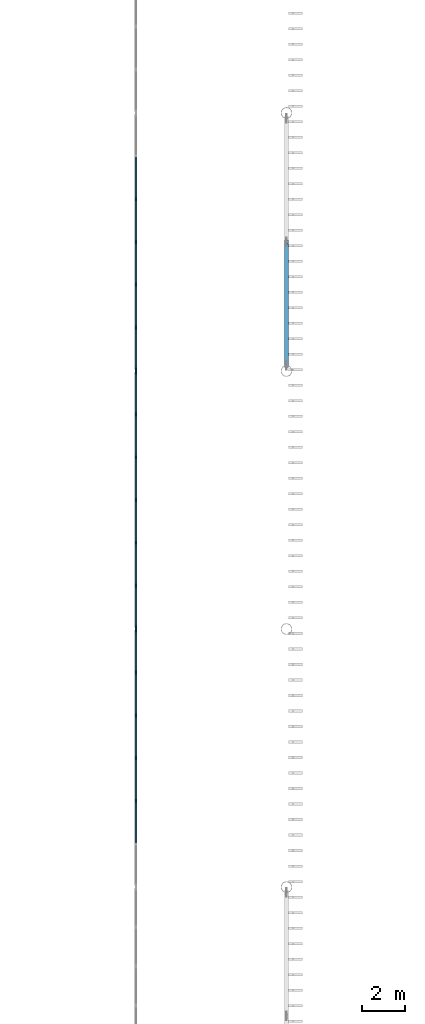
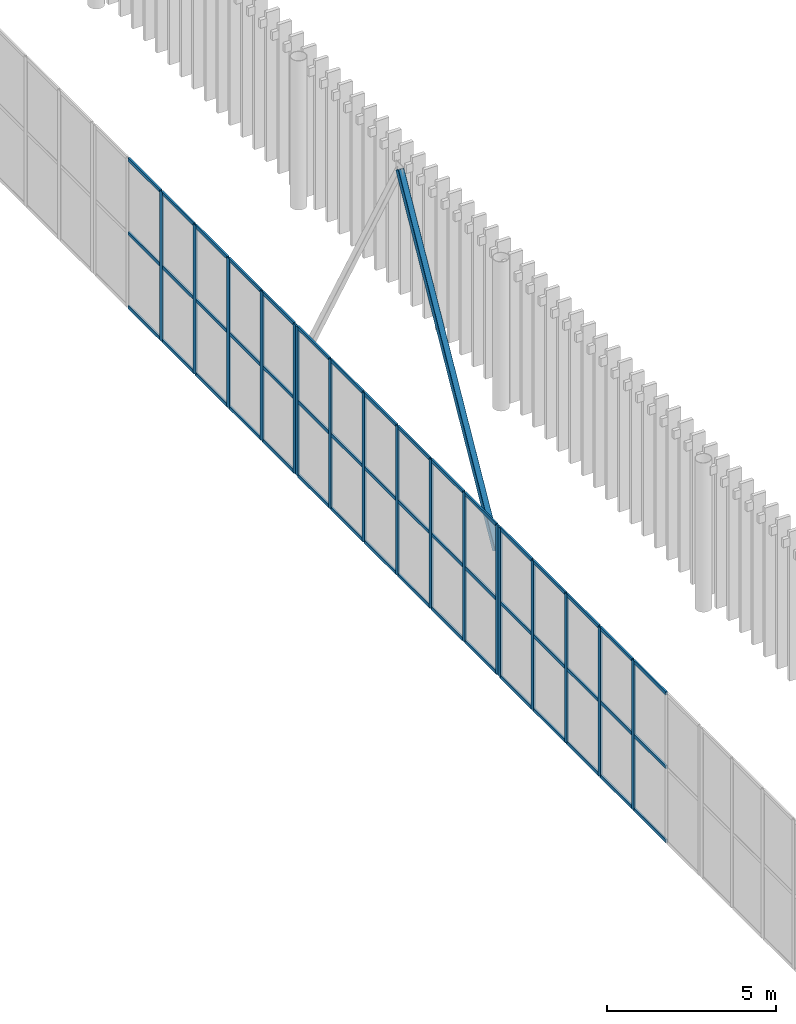
# One storey, part 41 of 170: 66 members, 3 elements without a shape of their own.
"""IFC4 building model written with IfcOpenShell, lengths in metres."""

from ifc_helpers import new_model, si_unit, direction, frame, origin, origin_2d, place, context, subcontext, project, spatial, rectangle, hollow_rectangle, extrude, material, layer, layer_set, material_profile, profile_set, type_object, element, aggregate, save


model = new_model("IFC4")

# Units and contexts
model_context = context("Model", 3, precision=1e-05, world=origin(), true_north=direction((0.0, 1.0)))
body_context = subcontext(model_context, "Body", "Model", "MODEL_VIEW")
ifc_project = project(units=[si_unit("LENGTHUNIT", "METRE"), si_unit("AREAUNIT", "SQUARE_METRE"), si_unit("VOLUMEUNIT", "CUBIC_METRE"), si_unit("PLANEANGLEUNIT", "RADIAN"), si_unit("MASSUNIT", "GRAM", prefix="KILO")], contexts=[model_context])

# Site, building, storey
site_placement = place(None, origin())
site = spatial("IfcSite", under=ifc_project, at=site_placement, CompositionType="ELEMENT")
building_placement = place(site_placement, origin())
building = spatial("IfcBuilding", under=site, at=building_placement, Name="Ravi Spectrum Wholesale Market", CompositionType="ELEMENT")
storey_placement = place(building_placement, frame((0.0, 0.0, 5.39990234375)))
storey = spatial("IfcBuildingStorey", under=building, at=storey_placement, Name="L01", CompositionType="ELEMENT", Elevation=5.39990234375)

# Curtain wall, members
ifc_material_1 = material(Name="Aluminium 6063-T6", Category="aluminium")
ifc_layer = layer(ifc_material_1, 0.14990234375)
ifc_layer_set = layer_set([ifc_layer], Name="Aluminium 6063-T6")
curtain_wall_type = type_object("IfcCurtainWallType", Name="Curtain wall 150", PredefinedType="NOTDEFINED", material=ifc_layer_set)
curtain_wall_1_placement = place(storey_placement, origin())
curtain_wall_1 = element("IfcCurtainWall", 1, at=curtain_wall_1_placement, inside=storey, type_object=curtain_wall_type, Name="H1-CW-L01-016", PredefinedType="NOTDEFINED")
ifc_material_2 = material(Name="Aluminium 6063-T6", Category="aluminium")
ifc_material_profile_1 = material_profile(ifc_material_2, rectangle(XDim=0.06005859375, YDim=0.159912109375, at=origin_2d()))
ifc_profile_set_1 = profile_set([ifc_material_profile_1], Name="Aluminium 6063-T6")
member_type_1 = type_object("IfcMemberType", Name="Mullion 60 x 160", PredefinedType="MULLION", material=ifc_profile_set_1)
member_1_placement = place(storey_placement, frame((103.0, 46.013427734375, 0.0), z_axis=(0.0, 0.0, 1.0), x_axis=(-1.0, 0.0, 0.0)))
member_1 = element("IfcMember", 2, at=member_1_placement, type_object=member_type_1, Name="H1-CW-L01-016 mullion 3", PredefinedType="MULLION", context=body_context, shape_type="SweptSolid", body=[
    extrude(rectangle(XDim=0.06005859375, YDim=0.159912109375, at=origin_2d()), origin(), (0.0, 0.0, 1.0), 5.400146484375),
])
member_2_placement = place(storey_placement, frame((103.0, 48.0, 0.0), z_axis=(0.0, 0.0, 1.0), x_axis=(-1.0, 0.0, 0.0)))
member_2 = element("IfcMember", 3, at=member_2_placement, type_object=member_type_1, Name="H1-CW-L01-016 mullion 4", PredefinedType="MULLION", context=body_context, shape_type="SweptSolid", body=[
    extrude(rectangle(XDim=0.06005859375, YDim=0.159912109375, at=origin_2d()), origin(), (0.0, 0.0, 1.0), 5.400146484375),
])
member_3_placement = place(storey_placement, frame((103.0, 49.986572265625, 0.0), z_axis=(0.0, 0.0, 1.0), x_axis=(-1.0, 0.0, 0.0)))
member_3 = element("IfcMember", 4, at=member_3_placement, type_object=member_type_1, Name="H1-CW-L01-016 mullion 5", PredefinedType="MULLION", context=body_context, shape_type="SweptSolid", body=[
    extrude(rectangle(XDim=0.06005859375, YDim=0.159912109375, at=origin_2d()), origin(), (0.0, 0.0, 1.0), 5.400146484375),
])
member_4_placement = place(storey_placement, frame((103.0, 51.973388671875, 0.0), z_axis=(0.0, 0.0, 1.0), x_axis=(-1.0, 0.0, 0.0)))
member_4 = element("IfcMember", 5, at=member_4_placement, type_object=member_type_1, Name="H1-CW-L01-016 mullion 6", PredefinedType="MULLION", context=body_context, shape_type="SweptSolid", body=[
    extrude(rectangle(XDim=0.06005859375, YDim=0.159912109375, at=origin_2d()), origin(), (0.0, 0.0, 1.0), 5.400146484375),
])
member_5_placement = place(storey_placement, frame((103.0, 53.929931640625, 0.0), z_axis=(0.0, 0.0, 1.0), x_axis=(-1.0, 0.0, 0.0)))
member_5 = element("IfcMember", 6, at=member_5_placement, type_object=member_type_1, Name="H1-CW-L01-016 mullion 7", PredefinedType="MULLION", context=body_context, shape_type="SweptSolid", body=[
    extrude(rectangle(XDim=0.06005859375, YDim=0.159912109375, at=origin_2d()), origin(), (0.0, 0.0, 1.0), 5.400146484375),
])

curtain_wall_2_placement = place(storey_placement, origin())
curtain_wall_2 = element("IfcCurtainWall", 7, at=curtain_wall_2_placement, inside=storey, type_object=curtain_wall_type, Name="H1-CW-L01-017", PredefinedType="NOTDEFINED")
member_6_placement = place(storey_placement, frame((103.0, 54.070068359375, 0.0), z_axis=(0.0, 0.0, 1.0), x_axis=(-1.0, 0.0, 0.0)))
member_6 = element("IfcMember", 8, at=member_6_placement, type_object=member_type_1, Name="H1-CW-L01-017 mullion 1", PredefinedType="MULLION", context=body_context, shape_type="SweptSolid", body=[
    extrude(rectangle(XDim=0.06005859375, YDim=0.159912109375, at=origin_2d()), origin(), (0.0, 0.0, 1.0), 5.400146484375),
])
member_7_placement = place(storey_placement, frame((103.0, 56.026611328125, 0.0), z_axis=(0.0, 0.0, 1.0), x_axis=(-1.0, 0.0, 0.0)))
member_7 = element("IfcMember", 9, at=member_7_placement, type_object=member_type_1, Name="H1-CW-L01-017 mullion 2", PredefinedType="MULLION", context=body_context, shape_type="SweptSolid", body=[
    extrude(rectangle(XDim=0.06005859375, YDim=0.159912109375, at=origin_2d()), origin(), (0.0, 0.0, 1.0), 5.400146484375),
])
member_8_placement = place(storey_placement, frame((103.0, 58.013427734375, 0.0), z_axis=(0.0, 0.0, 1.0), x_axis=(-1.0, 0.0, 0.0)))
member_8 = element("IfcMember", 10, at=member_8_placement, type_object=member_type_1, Name="H1-CW-L01-017 mullion 3", PredefinedType="MULLION", context=body_context, shape_type="SweptSolid", body=[
    extrude(rectangle(XDim=0.06005859375, YDim=0.159912109375, at=origin_2d()), origin(), (0.0, 0.0, 1.0), 5.400146484375),
])
member_9_placement = place(storey_placement, frame((103.0, 60.0, 0.0), z_axis=(0.0, 0.0, 1.0), x_axis=(-1.0, 0.0, 0.0)))
member_9 = element("IfcMember", 11, at=member_9_placement, type_object=member_type_1, Name="H1-CW-L01-017 mullion 4", PredefinedType="MULLION", context=body_context, shape_type="SweptSolid", body=[
    extrude(rectangle(XDim=0.06005859375, YDim=0.159912109375, at=origin_2d()), origin(), (0.0, 0.0, 1.0), 5.400146484375),
])
member_10_placement = place(storey_placement, frame((103.0, 61.986572265625, 0.0), z_axis=(0.0, 0.0, 1.0), x_axis=(-1.0, 0.0, 0.0)))
member_10 = element("IfcMember", 12, at=member_10_placement, type_object=member_type_1, Name="H1-CW-L01-017 mullion 5", PredefinedType="MULLION", context=body_context, shape_type="SweptSolid", body=[
    extrude(rectangle(XDim=0.06005859375, YDim=0.159912109375, at=origin_2d()), origin(), (0.0, 0.0, 1.0), 5.400146484375),
])
member_11_placement = place(storey_placement, frame((103.0, 63.973388671875, 0.0), z_axis=(0.0, 0.0, 1.0), x_axis=(-1.0, 0.0, 0.0)))
member_11 = element("IfcMember", 13, at=member_11_placement, type_object=member_type_1, Name="H1-CW-L01-017 mullion 6", PredefinedType="MULLION", context=body_context, shape_type="SweptSolid", body=[
    extrude(rectangle(XDim=0.06005859375, YDim=0.159912109375, at=origin_2d()), origin(), (0.0, 0.0, 1.0), 5.400146484375),
])
member_12_placement = place(storey_placement, frame((103.0, 65.929931640625, 0.0), z_axis=(0.0, 0.0, 1.0), x_axis=(-1.0, 0.0, 0.0)))
member_12 = element("IfcMember", 14, at=member_12_placement, type_object=member_type_1, Name="H1-CW-L01-017 mullion 7", PredefinedType="MULLION", context=body_context, shape_type="SweptSolid", body=[
    extrude(rectangle(XDim=0.06005859375, YDim=0.159912109375, at=origin_2d()), origin(), (0.0, 0.0, 1.0), 5.400146484375),
])

curtain_wall_3_placement = place(storey_placement, origin())
curtain_wall_3 = element("IfcCurtainWall", 15, at=curtain_wall_3_placement, inside=storey, type_object=curtain_wall_type, Name="H1-CW-L01-018", PredefinedType="NOTDEFINED")
member_13_placement = place(storey_placement, frame((103.0, 66.070068359375, 0.0), z_axis=(0.0, 0.0, 1.0), x_axis=(-1.0, 0.0, 0.0)))
member_13 = element("IfcMember", 16, at=member_13_placement, type_object=member_type_1, Name="H1-CW-L01-018 mullion 1", PredefinedType="MULLION", context=body_context, shape_type="SweptSolid", body=[
    extrude(rectangle(XDim=0.06005859375, YDim=0.159912109375, at=origin_2d()), origin(), (0.0, 0.0, 1.0), 5.400146484375),
])
member_14_placement = place(storey_placement, frame((103.0, 68.026611328125, 0.0), z_axis=(0.0, 0.0, 1.0), x_axis=(-1.0, 0.0, 0.0)))
member_14 = element("IfcMember", 17, at=member_14_placement, type_object=member_type_1, Name="H1-CW-L01-018 mullion 2", PredefinedType="MULLION", context=body_context, shape_type="SweptSolid", body=[
    extrude(rectangle(XDim=0.06005859375, YDim=0.159912109375, at=origin_2d()), origin(), (0.0, 0.0, 1.0), 5.400146484375),
])
member_15_placement = place(storey_placement, frame((103.0, 70.013427734375, 0.0), z_axis=(0.0, 0.0, 1.0), x_axis=(-1.0, 0.0, 0.0)))
member_15 = element("IfcMember", 18, at=member_15_placement, type_object=member_type_1, Name="H1-CW-L01-018 mullion 3", PredefinedType="MULLION", context=body_context, shape_type="SweptSolid", body=[
    extrude(rectangle(XDim=0.06005859375, YDim=0.159912109375, at=origin_2d()), origin(), (0.0, 0.0, 1.0), 5.400146484375),
])
member_16_placement = place(storey_placement, frame((103.0, 72.0, 0.0), z_axis=(0.0, 0.0, 1.0), x_axis=(-1.0, 0.0, 0.0)))
member_16 = element("IfcMember", 19, at=member_16_placement, type_object=member_type_1, Name="H1-CW-L01-018 mullion 4", PredefinedType="MULLION", context=body_context, shape_type="SweptSolid", body=[
    extrude(rectangle(XDim=0.06005859375, YDim=0.159912109375, at=origin_2d()), origin(), (0.0, 0.0, 1.0), 5.400146484375),
])
member_17_placement = place(storey_placement, frame((103.0, 73.986572265625, 0.0), z_axis=(0.0, 0.0, 1.0), x_axis=(-1.0, 0.0, 0.0)))
member_17 = element("IfcMember", 20, at=member_17_placement, type_object=member_type_1, Name="H1-CW-L01-018 mullion 5", PredefinedType="MULLION", context=body_context, shape_type="SweptSolid", body=[
    extrude(rectangle(XDim=0.06005859375, YDim=0.159912109375, at=origin_2d()), origin(), (0.0, 0.0, 1.0), 5.400146484375),
])

# Member
ifc_material_3 = material(Name="Steel S355", Category="steel")
ifc_material_profile_2 = material_profile(ifc_material_3, hollow_rectangle(XDim=0.199951171875, YDim=0.199951171875, WallThickness=0.008056640625, InnerFilletRadius=0.008056640625, OuterFilletRadius=0.01611328125, at=origin_2d()))
ifc_profile_set_2 = profile_set([ifc_material_profile_2], Name="Steel S355")
member_type_2 = type_object("IfcMemberType", Name="SHS 200x200x8 brace", PredefinedType="BRACE", material=ifc_profile_set_2)
member_18_placement = place(storey_placement, frame((110.0, 66.25390625, -5.350830078125), z_axis=(0.0, 0.487151805571, 0.873317306784), x_axis=(-1.0, 0.0, 0.0)))
element("IfcMember", 21, at=member_18_placement, inside=storey, type_object=member_type_2, Name="H1-MB-L01-015", PredefinedType="BRACE", context=body_context, shape_type="SweptSolid", body=[
    extrude(hollow_rectangle(XDim=0.199951171875, YDim=0.199951171875, WallThickness=0.008056640625, InnerFilletRadius=0.008056640625, OuterFilletRadius=0.01611328125, at=origin_2d()), origin(), (0.0, 0.0, 1.0), 11.795166015625),
])

ifc_material_4 = material(Name="Aluminium 6063-T6", Category="aluminium")
ifc_material_profile_3 = material_profile(ifc_material_4, rectangle(XDim=0.06005859375, YDim=0.1201171875, at=origin_2d()))
ifc_profile_set_3 = profile_set([ifc_material_profile_3], Name="Aluminium 6063-T6")
member_type_3 = type_object("IfcMemberType", Name="Transom 60 x 120", PredefinedType="USERDEFINED", material=ifc_profile_set_3)
member_19_placement = place(storey_placement, frame((103.0, 44.056640625, 0.030029296875), z_axis=(0.0, 1.0, 0.0), x_axis=(-1.0, 0.0, 0.0)))
member_19 = element("IfcMember", 22, at=member_19_placement, type_object=member_type_3, Name="H1-CW-L01-016 transom 2.1", ObjectType="TRANSOM", PredefinedType="USERDEFINED", context=body_context, shape_type="SweptSolid", body=[
    extrude(rectangle(XDim=0.06005859375, YDim=0.1201171875, at=origin_2d()), origin(), (0.0, 0.0, 1.0), 1.9267578125),
])

member_20_placement = place(storey_placement, frame((103.0, 44.056640625, 2.7001953125), z_axis=(0.0, 1.0, 0.0), x_axis=(-1.0, 0.0, 0.0)))
member_20 = element("IfcMember", 23, at=member_20_placement, type_object=member_type_3, Name="H1-CW-L01-016 transom 2.2", ObjectType="TRANSOM", PredefinedType="USERDEFINED", context=body_context, shape_type="SweptSolid", body=[
    extrude(rectangle(XDim=0.06005859375, YDim=0.1201171875, at=origin_2d()), origin(), (0.0, 0.0, 1.0), 1.9267578125),
])

member_21_placement = place(storey_placement, frame((103.0, 44.056640625, 5.3701171875), z_axis=(0.0, 1.0, 0.0), x_axis=(-1.0, 0.0, 0.0)))
member_21 = element("IfcMember", 24, at=member_21_placement, type_object=member_type_3, Name="H1-CW-L01-016 transom 2.3", ObjectType="TRANSOM", PredefinedType="USERDEFINED", context=body_context, shape_type="SweptSolid", body=[
    extrude(rectangle(XDim=0.06005859375, YDim=0.1201171875, at=origin_2d()), origin(), (0.0, 0.0, 1.0), 1.9267578125),
])

member_22_placement = place(storey_placement, frame((103.0, 46.043212890625, 0.030029296875), z_axis=(0.0, 1.0, 0.0), x_axis=(-1.0, 0.0, 0.0)))
member_22 = element("IfcMember", 25, at=member_22_placement, type_object=member_type_3, Name="H1-CW-L01-016 transom 3.1", ObjectType="TRANSOM", PredefinedType="USERDEFINED", context=body_context, shape_type="SweptSolid", body=[
    extrude(rectangle(XDim=0.06005859375, YDim=0.1201171875, at=origin_2d()), origin(), (0.0, 0.0, 1.0), 1.9267578125),
])

member_23_placement = place(storey_placement, frame((103.0, 46.043212890625, 2.7001953125), z_axis=(0.0, 1.0, 0.0), x_axis=(-1.0, 0.0, 0.0)))
member_23 = element("IfcMember", 26, at=member_23_placement, type_object=member_type_3, Name="H1-CW-L01-016 transom 3.2", ObjectType="TRANSOM", PredefinedType="USERDEFINED", context=body_context, shape_type="SweptSolid", body=[
    extrude(rectangle(XDim=0.06005859375, YDim=0.1201171875, at=origin_2d()), origin(), (0.0, 0.0, 1.0), 1.9267578125),
])

member_24_placement = place(storey_placement, frame((103.0, 46.043212890625, 5.3701171875), z_axis=(0.0, 1.0, 0.0), x_axis=(-1.0, 0.0, 0.0)))
member_24 = element("IfcMember", 27, at=member_24_placement, type_object=member_type_3, Name="H1-CW-L01-016 transom 3.3", ObjectType="TRANSOM", PredefinedType="USERDEFINED", context=body_context, shape_type="SweptSolid", body=[
    extrude(rectangle(XDim=0.06005859375, YDim=0.1201171875, at=origin_2d()), origin(), (0.0, 0.0, 1.0), 1.9267578125),
])

member_25_placement = place(storey_placement, frame((103.0, 48.030029296875, 0.030029296875), z_axis=(0.0, 1.0, 0.0), x_axis=(-1.0, 0.0, 0.0)))
member_25 = element("IfcMember", 28, at=member_25_placement, type_object=member_type_3, Name="H1-CW-L01-016 transom 4.1", ObjectType="TRANSOM", PredefinedType="USERDEFINED", context=body_context, shape_type="SweptSolid", body=[
    extrude(rectangle(XDim=0.06005859375, YDim=0.1201171875, at=origin_2d()), origin(), (0.0, 0.0, 1.0), 1.9267578125),
])

member_26_placement = place(storey_placement, frame((103.0, 48.030029296875, 2.7001953125), z_axis=(0.0, 1.0, 0.0), x_axis=(-1.0, 0.0, 0.0)))
member_26 = element("IfcMember", 29, at=member_26_placement, type_object=member_type_3, Name="H1-CW-L01-016 transom 4.2", ObjectType="TRANSOM", PredefinedType="USERDEFINED", context=body_context, shape_type="SweptSolid", body=[
    extrude(rectangle(XDim=0.06005859375, YDim=0.1201171875, at=origin_2d()), origin(), (0.0, 0.0, 1.0), 1.9267578125),
])

member_27_placement = place(storey_placement, frame((103.0, 48.030029296875, 5.3701171875), z_axis=(0.0, 1.0, 0.0), x_axis=(-1.0, 0.0, 0.0)))
member_27 = element("IfcMember", 30, at=member_27_placement, type_object=member_type_3, Name="H1-CW-L01-016 transom 4.3", ObjectType="TRANSOM", PredefinedType="USERDEFINED", context=body_context, shape_type="SweptSolid", body=[
    extrude(rectangle(XDim=0.06005859375, YDim=0.1201171875, at=origin_2d()), origin(), (0.0, 0.0, 1.0), 1.9267578125),
])

member_28_placement = place(storey_placement, frame((103.0, 50.0166015625, 0.030029296875), z_axis=(0.0, 1.0, 0.0), x_axis=(-1.0, 0.0, 0.0)))
member_28 = element("IfcMember", 31, at=member_28_placement, type_object=member_type_3, Name="H1-CW-L01-016 transom 5.1", ObjectType="TRANSOM", PredefinedType="USERDEFINED", context=body_context, shape_type="SweptSolid", body=[
    extrude(rectangle(XDim=0.06005859375, YDim=0.1201171875, at=origin_2d()), origin(), (0.0, 0.0, 1.0), 1.9267578125),
])

member_29_placement = place(storey_placement, frame((103.0, 50.0166015625, 2.7001953125), z_axis=(0.0, 1.0, 0.0), x_axis=(-1.0, 0.0, 0.0)))
member_29 = element("IfcMember", 32, at=member_29_placement, type_object=member_type_3, Name="H1-CW-L01-016 transom 5.2", ObjectType="TRANSOM", PredefinedType="USERDEFINED", context=body_context, shape_type="SweptSolid", body=[
    extrude(rectangle(XDim=0.06005859375, YDim=0.1201171875, at=origin_2d()), origin(), (0.0, 0.0, 1.0), 1.9267578125),
])

member_30_placement = place(storey_placement, frame((103.0, 50.0166015625, 5.3701171875), z_axis=(0.0, 1.0, 0.0), x_axis=(-1.0, 0.0, 0.0)))
member_30 = element("IfcMember", 33, at=member_30_placement, type_object=member_type_3, Name="H1-CW-L01-016 transom 5.3", ObjectType="TRANSOM", PredefinedType="USERDEFINED", context=body_context, shape_type="SweptSolid", body=[
    extrude(rectangle(XDim=0.06005859375, YDim=0.1201171875, at=origin_2d()), origin(), (0.0, 0.0, 1.0), 1.9267578125),
])

member_31_placement = place(storey_placement, frame((103.0, 52.00341796875, 0.030029296875), z_axis=(0.0, 1.0, 0.0), x_axis=(-1.0, 0.0, 0.0)))
member_31 = element("IfcMember", 34, at=member_31_placement, type_object=member_type_3, Name="H1-CW-L01-016 transom 6.1", ObjectType="TRANSOM", PredefinedType="USERDEFINED", context=body_context, shape_type="SweptSolid", body=[
    extrude(rectangle(XDim=0.06005859375, YDim=0.1201171875, at=origin_2d()), origin(), (0.0, 0.0, 1.0), 1.896484375),
])

member_32_placement = place(storey_placement, frame((103.0, 52.00341796875, 2.7001953125), z_axis=(0.0, 1.0, 0.0), x_axis=(-1.0, 0.0, 0.0)))
member_32 = element("IfcMember", 35, at=member_32_placement, type_object=member_type_3, Name="H1-CW-L01-016 transom 6.2", ObjectType="TRANSOM", PredefinedType="USERDEFINED", context=body_context, shape_type="SweptSolid", body=[
    extrude(rectangle(XDim=0.06005859375, YDim=0.1201171875, at=origin_2d()), origin(), (0.0, 0.0, 1.0), 1.896484375),
])

member_33_placement = place(storey_placement, frame((103.0, 52.00341796875, 5.3701171875), z_axis=(0.0, 1.0, 0.0), x_axis=(-1.0, 0.0, 0.0)))
member_33 = element("IfcMember", 36, at=member_33_placement, type_object=member_type_3, Name="H1-CW-L01-016 transom 6.3", ObjectType="TRANSOM", PredefinedType="USERDEFINED", context=body_context, shape_type="SweptSolid", body=[
    extrude(rectangle(XDim=0.06005859375, YDim=0.1201171875, at=origin_2d()), origin(), (0.0, 0.0, 1.0), 1.896484375),
])

aggregate(curtain_wall_1, [member_1, member_2, member_3, member_4, member_5, member_19, member_20, member_21, member_22, member_23, member_24, member_25, member_26, member_27, member_28, member_29, member_30, member_31, member_32, member_33])

member_34_placement = place(storey_placement, frame((103.0, 54.10009765625, 0.030029296875), z_axis=(0.0, 1.0, 0.0), x_axis=(-1.0, 0.0, 0.0)))
member_34 = element("IfcMember", 37, at=member_34_placement, type_object=member_type_3, Name="H1-CW-L01-017 transom 1.1", ObjectType="TRANSOM", PredefinedType="USERDEFINED", context=body_context, shape_type="SweptSolid", body=[
    extrude(rectangle(XDim=0.06005859375, YDim=0.1201171875, at=origin_2d()), origin(), (0.0, 0.0, 1.0), 1.896484375),
])

member_35_placement = place(storey_placement, frame((103.0, 54.10009765625, 2.7001953125), z_axis=(0.0, 1.0, 0.0), x_axis=(-1.0, 0.0, 0.0)))
member_35 = element("IfcMember", 38, at=member_35_placement, type_object=member_type_3, Name="H1-CW-L01-017 transom 1.2", ObjectType="TRANSOM", PredefinedType="USERDEFINED", context=body_context, shape_type="SweptSolid", body=[
    extrude(rectangle(XDim=0.06005859375, YDim=0.1201171875, at=origin_2d()), origin(), (0.0, 0.0, 1.0), 1.896484375),
])

member_36_placement = place(storey_placement, frame((103.0, 54.10009765625, 5.3701171875), z_axis=(0.0, 1.0, 0.0), x_axis=(-1.0, 0.0, 0.0)))
member_36 = element("IfcMember", 39, at=member_36_placement, type_object=member_type_3, Name="H1-CW-L01-017 transom 1.3", ObjectType="TRANSOM", PredefinedType="USERDEFINED", context=body_context, shape_type="SweptSolid", body=[
    extrude(rectangle(XDim=0.06005859375, YDim=0.1201171875, at=origin_2d()), origin(), (0.0, 0.0, 1.0), 1.896484375),
])

member_37_placement = place(storey_placement, frame((103.0, 56.056640625, 0.030029296875), z_axis=(0.0, 1.0, 0.0), x_axis=(-1.0, 0.0, 0.0)))
member_37 = element("IfcMember", 40, at=member_37_placement, type_object=member_type_3, Name="H1-CW-L01-017 transom 2.1", ObjectType="TRANSOM", PredefinedType="USERDEFINED", context=body_context, shape_type="SweptSolid", body=[
    extrude(rectangle(XDim=0.06005859375, YDim=0.1201171875, at=origin_2d()), origin(), (0.0, 0.0, 1.0), 1.9267578125),
])

member_38_placement = place(storey_placement, frame((103.0, 56.056640625, 2.7001953125), z_axis=(0.0, 1.0, 0.0), x_axis=(-1.0, 0.0, 0.0)))
member_38 = element("IfcMember", 41, at=member_38_placement, type_object=member_type_3, Name="H1-CW-L01-017 transom 2.2", ObjectType="TRANSOM", PredefinedType="USERDEFINED", context=body_context, shape_type="SweptSolid", body=[
    extrude(rectangle(XDim=0.06005859375, YDim=0.1201171875, at=origin_2d()), origin(), (0.0, 0.0, 1.0), 1.9267578125),
])

member_39_placement = place(storey_placement, frame((103.0, 56.056640625, 5.3701171875), z_axis=(0.0, 1.0, 0.0), x_axis=(-1.0, 0.0, 0.0)))
member_39 = element("IfcMember", 42, at=member_39_placement, type_object=member_type_3, Name="H1-CW-L01-017 transom 2.3", ObjectType="TRANSOM", PredefinedType="USERDEFINED", context=body_context, shape_type="SweptSolid", body=[
    extrude(rectangle(XDim=0.06005859375, YDim=0.1201171875, at=origin_2d()), origin(), (0.0, 0.0, 1.0), 1.9267578125),
])

member_40_placement = place(storey_placement, frame((103.0, 58.043212890625, 0.030029296875), z_axis=(0.0, 1.0, 0.0), x_axis=(-1.0, 0.0, 0.0)))
member_40 = element("IfcMember", 43, at=member_40_placement, type_object=member_type_3, Name="H1-CW-L01-017 transom 3.1", ObjectType="TRANSOM", PredefinedType="USERDEFINED", context=body_context, shape_type="SweptSolid", body=[
    extrude(rectangle(XDim=0.06005859375, YDim=0.1201171875, at=origin_2d()), origin(), (0.0, 0.0, 1.0), 1.9267578125),
])

member_41_placement = place(storey_placement, frame((103.0, 58.043212890625, 2.7001953125), z_axis=(0.0, 1.0, 0.0), x_axis=(-1.0, 0.0, 0.0)))
member_41 = element("IfcMember", 44, at=member_41_placement, type_object=member_type_3, Name="H1-CW-L01-017 transom 3.2", ObjectType="TRANSOM", PredefinedType="USERDEFINED", context=body_context, shape_type="SweptSolid", body=[
    extrude(rectangle(XDim=0.06005859375, YDim=0.1201171875, at=origin_2d()), origin(), (0.0, 0.0, 1.0), 1.9267578125),
])

member_42_placement = place(storey_placement, frame((103.0, 58.043212890625, 5.3701171875), z_axis=(0.0, 1.0, 0.0), x_axis=(-1.0, 0.0, 0.0)))
member_42 = element("IfcMember", 45, at=member_42_placement, type_object=member_type_3, Name="H1-CW-L01-017 transom 3.3", ObjectType="TRANSOM", PredefinedType="USERDEFINED", context=body_context, shape_type="SweptSolid", body=[
    extrude(rectangle(XDim=0.06005859375, YDim=0.1201171875, at=origin_2d()), origin(), (0.0, 0.0, 1.0), 1.9267578125),
])

member_43_placement = place(storey_placement, frame((103.0, 60.030029296875, 0.030029296875), z_axis=(0.0, 1.0, 0.0), x_axis=(-1.0, 0.0, 0.0)))
member_43 = element("IfcMember", 46, at=member_43_placement, type_object=member_type_3, Name="H1-CW-L01-017 transom 4.1", ObjectType="TRANSOM", PredefinedType="USERDEFINED", context=body_context, shape_type="SweptSolid", body=[
    extrude(rectangle(XDim=0.06005859375, YDim=0.1201171875, at=origin_2d()), origin(), (0.0, 0.0, 1.0), 1.9267578125),
])

member_44_placement = place(storey_placement, frame((103.0, 60.030029296875, 2.7001953125), z_axis=(0.0, 1.0, 0.0), x_axis=(-1.0, 0.0, 0.0)))
member_44 = element("IfcMember", 47, at=member_44_placement, type_object=member_type_3, Name="H1-CW-L01-017 transom 4.2", ObjectType="TRANSOM", PredefinedType="USERDEFINED", context=body_context, shape_type="SweptSolid", body=[
    extrude(rectangle(XDim=0.06005859375, YDim=0.1201171875, at=origin_2d()), origin(), (0.0, 0.0, 1.0), 1.9267578125),
])

member_45_placement = place(storey_placement, frame((103.0, 60.030029296875, 5.3701171875), z_axis=(0.0, 1.0, 0.0), x_axis=(-1.0, 0.0, 0.0)))
member_45 = element("IfcMember", 48, at=member_45_placement, type_object=member_type_3, Name="H1-CW-L01-017 transom 4.3", ObjectType="TRANSOM", PredefinedType="USERDEFINED", context=body_context, shape_type="SweptSolid", body=[
    extrude(rectangle(XDim=0.06005859375, YDim=0.1201171875, at=origin_2d()), origin(), (0.0, 0.0, 1.0), 1.9267578125),
])

member_46_placement = place(storey_placement, frame((103.0, 62.0166015625, 0.030029296875), z_axis=(0.0, 1.0, 0.0), x_axis=(-1.0, 0.0, 0.0)))
member_46 = element("IfcMember", 49, at=member_46_placement, type_object=member_type_3, Name="H1-CW-L01-017 transom 5.1", ObjectType="TRANSOM", PredefinedType="USERDEFINED", context=body_context, shape_type="SweptSolid", body=[
    extrude(rectangle(XDim=0.06005859375, YDim=0.1201171875, at=origin_2d()), origin(), (0.0, 0.0, 1.0), 1.9267578125),
])

member_47_placement = place(storey_placement, frame((103.0, 62.0166015625, 2.7001953125), z_axis=(0.0, 1.0, 0.0), x_axis=(-1.0, 0.0, 0.0)))
member_47 = element("IfcMember", 50, at=member_47_placement, type_object=member_type_3, Name="H1-CW-L01-017 transom 5.2", ObjectType="TRANSOM", PredefinedType="USERDEFINED", context=body_context, shape_type="SweptSolid", body=[
    extrude(rectangle(XDim=0.06005859375, YDim=0.1201171875, at=origin_2d()), origin(), (0.0, 0.0, 1.0), 1.9267578125),
])

member_48_placement = place(storey_placement, frame((103.0, 62.0166015625, 5.3701171875), z_axis=(0.0, 1.0, 0.0), x_axis=(-1.0, 0.0, 0.0)))
member_48 = element("IfcMember", 51, at=member_48_placement, type_object=member_type_3, Name="H1-CW-L01-017 transom 5.3", ObjectType="TRANSOM", PredefinedType="USERDEFINED", context=body_context, shape_type="SweptSolid", body=[
    extrude(rectangle(XDim=0.06005859375, YDim=0.1201171875, at=origin_2d()), origin(), (0.0, 0.0, 1.0), 1.9267578125),
])

member_49_placement = place(storey_placement, frame((103.0, 64.00341796875, 0.030029296875), z_axis=(0.0, 1.0, 0.0), x_axis=(-1.0, 0.0, 0.0)))
member_49 = element("IfcMember", 52, at=member_49_placement, type_object=member_type_3, Name="H1-CW-L01-017 transom 6.1", ObjectType="TRANSOM", PredefinedType="USERDEFINED", context=body_context, shape_type="SweptSolid", body=[
    extrude(rectangle(XDim=0.06005859375, YDim=0.1201171875, at=origin_2d()), origin(), (0.0, 0.0, 1.0), 1.896484375),
])

member_50_placement = place(storey_placement, frame((103.0, 64.00341796875, 2.7001953125), z_axis=(0.0, 1.0, 0.0), x_axis=(-1.0, 0.0, 0.0)))
member_50 = element("IfcMember", 53, at=member_50_placement, type_object=member_type_3, Name="H1-CW-L01-017 transom 6.2", ObjectType="TRANSOM", PredefinedType="USERDEFINED", context=body_context, shape_type="SweptSolid", body=[
    extrude(rectangle(XDim=0.06005859375, YDim=0.1201171875, at=origin_2d()), origin(), (0.0, 0.0, 1.0), 1.896484375),
])

member_51_placement = place(storey_placement, frame((103.0, 64.00341796875, 5.3701171875), z_axis=(0.0, 1.0, 0.0), x_axis=(-1.0, 0.0, 0.0)))
member_51 = element("IfcMember", 54, at=member_51_placement, type_object=member_type_3, Name="H1-CW-L01-017 transom 6.3", ObjectType="TRANSOM", PredefinedType="USERDEFINED", context=body_context, shape_type="SweptSolid", body=[
    extrude(rectangle(XDim=0.06005859375, YDim=0.1201171875, at=origin_2d()), origin(), (0.0, 0.0, 1.0), 1.896484375),
])

aggregate(curtain_wall_2, [member_6, member_7, member_8, member_9, member_10, member_11, member_12, member_34, member_35, member_36, member_37, member_38, member_39, member_40, member_41, member_42, member_43, member_44, member_45, member_46, member_47, member_48, member_49, member_50, member_51])

member_52_placement = place(storey_placement, frame((103.0, 66.10009765625, 0.030029296875), z_axis=(0.0, 1.0, 0.0), x_axis=(-1.0, 0.0, 0.0)))
member_52 = element("IfcMember", 55, at=member_52_placement, type_object=member_type_3, Name="H1-CW-L01-018 transom 1.1", ObjectType="TRANSOM", PredefinedType="USERDEFINED", context=body_context, shape_type="SweptSolid", body=[
    extrude(rectangle(XDim=0.06005859375, YDim=0.1201171875, at=origin_2d()), origin(), (0.0, 0.0, 1.0), 1.896484375),
])

member_53_placement = place(storey_placement, frame((103.0, 66.10009765625, 2.7001953125), z_axis=(0.0, 1.0, 0.0), x_axis=(-1.0, 0.0, 0.0)))
member_53 = element("IfcMember", 56, at=member_53_placement, type_object=member_type_3, Name="H1-CW-L01-018 transom 1.2", ObjectType="TRANSOM", PredefinedType="USERDEFINED", context=body_context, shape_type="SweptSolid", body=[
    extrude(rectangle(XDim=0.06005859375, YDim=0.1201171875, at=origin_2d()), origin(), (0.0, 0.0, 1.0), 1.896484375),
])

member_54_placement = place(storey_placement, frame((103.0, 66.10009765625, 5.3701171875), z_axis=(0.0, 1.0, 0.0), x_axis=(-1.0, 0.0, 0.0)))
member_54 = element("IfcMember", 57, at=member_54_placement, type_object=member_type_3, Name="H1-CW-L01-018 transom 1.3", ObjectType="TRANSOM", PredefinedType="USERDEFINED", context=body_context, shape_type="SweptSolid", body=[
    extrude(rectangle(XDim=0.06005859375, YDim=0.1201171875, at=origin_2d()), origin(), (0.0, 0.0, 1.0), 1.896484375),
])

member_55_placement = place(storey_placement, frame((103.0, 68.056640625, 0.030029296875), z_axis=(0.0, 1.0, 0.0), x_axis=(-1.0, 0.0, 0.0)))
member_55 = element("IfcMember", 58, at=member_55_placement, type_object=member_type_3, Name="H1-CW-L01-018 transom 2.1", ObjectType="TRANSOM", PredefinedType="USERDEFINED", context=body_context, shape_type="SweptSolid", body=[
    extrude(rectangle(XDim=0.06005859375, YDim=0.1201171875, at=origin_2d()), origin(), (0.0, 0.0, 1.0), 1.9267578125),
])

member_56_placement = place(storey_placement, frame((103.0, 68.056640625, 2.7001953125), z_axis=(0.0, 1.0, 0.0), x_axis=(-1.0, 0.0, 0.0)))
member_56 = element("IfcMember", 59, at=member_56_placement, type_object=member_type_3, Name="H1-CW-L01-018 transom 2.2", ObjectType="TRANSOM", PredefinedType="USERDEFINED", context=body_context, shape_type="SweptSolid", body=[
    extrude(rectangle(XDim=0.06005859375, YDim=0.1201171875, at=origin_2d()), origin(), (0.0, 0.0, 1.0), 1.9267578125),
])

member_57_placement = place(storey_placement, frame((103.0, 68.056640625, 5.3701171875), z_axis=(0.0, 1.0, 0.0), x_axis=(-1.0, 0.0, 0.0)))
member_57 = element("IfcMember", 60, at=member_57_placement, type_object=member_type_3, Name="H1-CW-L01-018 transom 2.3", ObjectType="TRANSOM", PredefinedType="USERDEFINED", context=body_context, shape_type="SweptSolid", body=[
    extrude(rectangle(XDim=0.06005859375, YDim=0.1201171875, at=origin_2d()), origin(), (0.0, 0.0, 1.0), 1.9267578125),
])

member_58_placement = place(storey_placement, frame((103.0, 70.043212890625, 0.030029296875), z_axis=(0.0, 1.0, 0.0), x_axis=(-1.0, 0.0, 0.0)))
member_58 = element("IfcMember", 61, at=member_58_placement, type_object=member_type_3, Name="H1-CW-L01-018 transom 3.1", ObjectType="TRANSOM", PredefinedType="USERDEFINED", context=body_context, shape_type="SweptSolid", body=[
    extrude(rectangle(XDim=0.06005859375, YDim=0.1201171875, at=origin_2d()), origin(), (0.0, 0.0, 1.0), 1.9267578125),
])

member_59_placement = place(storey_placement, frame((103.0, 70.043212890625, 2.7001953125), z_axis=(0.0, 1.0, 0.0), x_axis=(-1.0, 0.0, 0.0)))
member_59 = element("IfcMember", 62, at=member_59_placement, type_object=member_type_3, Name="H1-CW-L01-018 transom 3.2", ObjectType="TRANSOM", PredefinedType="USERDEFINED", context=body_context, shape_type="SweptSolid", body=[
    extrude(rectangle(XDim=0.06005859375, YDim=0.1201171875, at=origin_2d()), origin(), (0.0, 0.0, 1.0), 1.9267578125),
])

member_60_placement = place(storey_placement, frame((103.0, 70.043212890625, 5.3701171875), z_axis=(0.0, 1.0, 0.0), x_axis=(-1.0, 0.0, 0.0)))
member_60 = element("IfcMember", 63, at=member_60_placement, type_object=member_type_3, Name="H1-CW-L01-018 transom 3.3", ObjectType="TRANSOM", PredefinedType="USERDEFINED", context=body_context, shape_type="SweptSolid", body=[
    extrude(rectangle(XDim=0.06005859375, YDim=0.1201171875, at=origin_2d()), origin(), (0.0, 0.0, 1.0), 1.9267578125),
])

member_61_placement = place(storey_placement, frame((103.0, 72.030029296875, 0.030029296875), z_axis=(0.0, 1.0, 0.0), x_axis=(-1.0, 0.0, 0.0)))
member_61 = element("IfcMember", 64, at=member_61_placement, type_object=member_type_3, Name="H1-CW-L01-018 transom 4.1", ObjectType="TRANSOM", PredefinedType="USERDEFINED", context=body_context, shape_type="SweptSolid", body=[
    extrude(rectangle(XDim=0.06005859375, YDim=0.1201171875, at=origin_2d()), origin(), (0.0, 0.0, 1.0), 1.9267578125),
])

member_62_placement = place(storey_placement, frame((103.0, 72.030029296875, 2.7001953125), z_axis=(0.0, 1.0, 0.0), x_axis=(-1.0, 0.0, 0.0)))
member_62 = element("IfcMember", 65, at=member_62_placement, type_object=member_type_3, Name="H1-CW-L01-018 transom 4.2", ObjectType="TRANSOM", PredefinedType="USERDEFINED", context=body_context, shape_type="SweptSolid", body=[
    extrude(rectangle(XDim=0.06005859375, YDim=0.1201171875, at=origin_2d()), origin(), (0.0, 0.0, 1.0), 1.9267578125),
])

member_63_placement = place(storey_placement, frame((103.0, 72.030029296875, 5.3701171875), z_axis=(0.0, 1.0, 0.0), x_axis=(-1.0, 0.0, 0.0)))
member_63 = element("IfcMember", 66, at=member_63_placement, type_object=member_type_3, Name="H1-CW-L01-018 transom 4.3", ObjectType="TRANSOM", PredefinedType="USERDEFINED", context=body_context, shape_type="SweptSolid", body=[
    extrude(rectangle(XDim=0.06005859375, YDim=0.1201171875, at=origin_2d()), origin(), (0.0, 0.0, 1.0), 1.9267578125),
])

member_64_placement = place(storey_placement, frame((103.0, 74.0166015625, 0.030029296875), z_axis=(0.0, 1.0, 0.0), x_axis=(-1.0, 0.0, 0.0)))
member_64 = element("IfcMember", 67, at=member_64_placement, type_object=member_type_3, Name="H1-CW-L01-018 transom 5.1", ObjectType="TRANSOM", PredefinedType="USERDEFINED", context=body_context, shape_type="SweptSolid", body=[
    extrude(rectangle(XDim=0.06005859375, YDim=0.1201171875, at=origin_2d()), origin(), (0.0, 0.0, 1.0), 1.9267578125),
])

member_65_placement = place(storey_placement, frame((103.0, 74.0166015625, 2.7001953125), z_axis=(0.0, 1.0, 0.0), x_axis=(-1.0, 0.0, 0.0)))
member_65 = element("IfcMember", 68, at=member_65_placement, type_object=member_type_3, Name="H1-CW-L01-018 transom 5.2", ObjectType="TRANSOM", PredefinedType="USERDEFINED", context=body_context, shape_type="SweptSolid", body=[
    extrude(rectangle(XDim=0.06005859375, YDim=0.1201171875, at=origin_2d()), origin(), (0.0, 0.0, 1.0), 1.9267578125),
])

member_66_placement = place(storey_placement, frame((103.0, 74.0166015625, 5.3701171875), z_axis=(0.0, 1.0, 0.0), x_axis=(-1.0, 0.0, 0.0)))
member_66 = element("IfcMember", 69, at=member_66_placement, type_object=member_type_3, Name="H1-CW-L01-018 transom 5.3", ObjectType="TRANSOM", PredefinedType="USERDEFINED", context=body_context, shape_type="SweptSolid", body=[
    extrude(rectangle(XDim=0.06005859375, YDim=0.1201171875, at=origin_2d()), origin(), (0.0, 0.0, 1.0), 1.9267578125),
])

aggregate(curtain_wall_3, [member_13, member_14, member_15, member_16, member_17, member_52, member_53, member_54, member_55, member_56, member_57, member_58, member_59, member_60, member_61, member_62, member_63, member_64, member_65, member_66])

save(model, "model.ifc")
